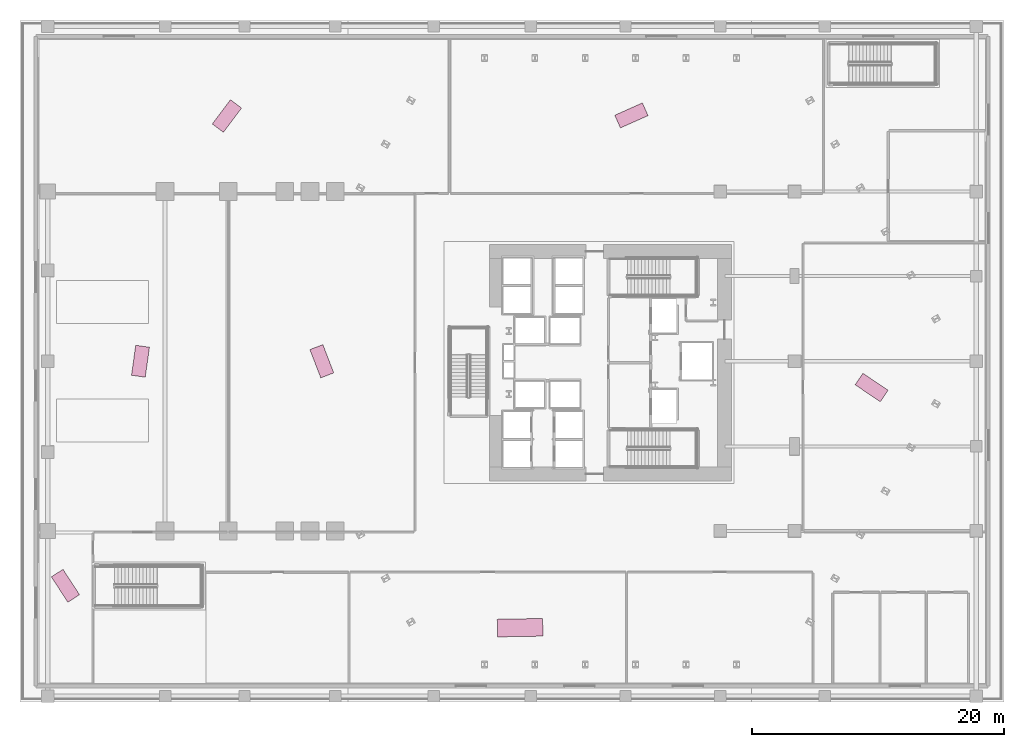
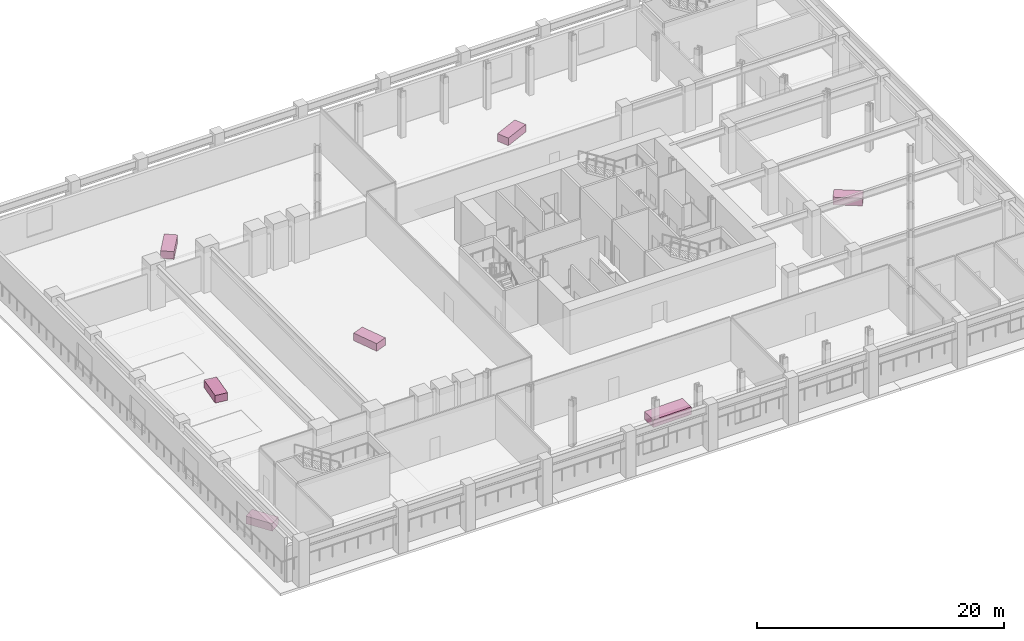
# One storey, part 18 of 18: 7 furniture elements.
"""IFC4 building model written with IfcOpenShell, lengths in metres."""

from ifc_helpers import new_model, si_unit, direction, frame, origin, origin_2d, place, context, subcontext, project, spatial, rectangle, extrude, material, type_object, element, save


model = new_model("IFC4")

# Units and contexts
model_context = context("Model", 3, precision=1e-05, world=origin(), true_north=direction((0.0, 1.0)))
body_context = subcontext(model_context, "Body", "Model", "MODEL_VIEW")
ifc_project = project(units=[si_unit("LENGTHUNIT", "METRE"), si_unit("AREAUNIT", "SQUARE_METRE"), si_unit("VOLUMEUNIT", "CUBIC_METRE"), si_unit("PLANEANGLEUNIT", "RADIAN"), si_unit("MASSUNIT", "GRAM", prefix="KILO")], contexts=[model_context])

# Site, building, storey
site_placement = place(None, origin())
site = spatial("IfcSite", under=ifc_project, at=site_placement, CompositionType="ELEMENT")
building_placement = place(site_placement, origin())
building = spatial("IfcBuilding", under=site, at=building_placement, Name="Valkerne Bourse Tower", CompositionType="ELEMENT")
storey_placement = place(building_placement, frame((0.0, 0.0, 10.199951171875)))
storey = spatial("IfcBuildingStorey", under=building, at=storey_placement, Name="L02", CompositionType="ELEMENT", Elevation=10.199951171875)

# Furniture
ifc_material = material(Name="Architectural White Oak Timber", Category="wood")
furniture_type_1 = type_object("IfcFurnitureType", Name="FURN-CONF-3600", AssemblyPlace="NOTDEFINED", PredefinedType="TABLE", material=ifc_material)
furniture_placement = place(storey_placement, frame((39.64111328125, 5.87890625, 0.044921875), z_axis=(0.0, 0.0, 1.0), x_axis=(0.999847695156, 0.017452406437, 0.0)))
element("IfcFurniture", 1, at=furniture_placement, inside=storey, type_object=furniture_type_1, Name="L02 Suite Worktable 03", PredefinedType="TABLE", context=body_context, shape_type="SweptSolid", body=[
    extrude(rectangle(XDim=3.60009765625, YDim=1.39990234375, at=origin_2d()), origin(), (0.0, 0.0, 1.0), 0.760009765625),
])
furniture_type_2 = type_object("IfcFurnitureType", Name="FURN-DESK-2400", AssemblyPlace="NOTDEFINED", PredefinedType="DESK", material=ifc_material)
for number, where, z_axis, x_axis, name in (
    (2, (3.60205078125, 9.199951171875, 0.045166015625), (0.0, 0.0, 1.0), (-0.544639035015, 0.838670567945, 0.0), "L02 Suite Worktable 01"),
    (3, (67.50390625, 24.91796875, 0.045166015625), (0.0, 0.0, 1.0), (-0.829037572555, 0.559192903471, 0.0), "L02 Suite Worktable 08"),
    (4, (48.466064453125, 46.485107421875, 0.045166015625), (0.0, 0.0, 1.0), (0.913545457643, 0.406736643076, 0.0), "L02 Suite Worktable 10"),
    (5, (16.402099609375, 46.43798828125, 0.045166015625), (0.0, 0.0, 1.0), (0.601815023152, 0.798635510047, 0.0), "L02 Suite Worktable 11"),
    (6, (9.550048828125, 27.0, 0.045166015625), (0.0, 0.0, 1.0), (0.13917310096, 0.990268068742, 0.0), "L02 Suite Worktable 12"),
    (7, (23.925048828125, 27.0, 0.045166015625), (0.0, 0.0, 1.0), (-0.358367949545, 0.933580426497, 0.0), "L02 Suite Worktable 13"),
):
    element("IfcFurniture", number, at=place(storey_placement, frame(where, z_axis=z_axis, x_axis=x_axis)), inside=storey, type_object=furniture_type_2, Name=name, PredefinedType="DESK", context=body_context, shape_type="SweptSolid", body=[
        extrude(rectangle(XDim=2.39990234375, YDim=1.10009765625, at=origin_2d()), origin(), (0.0, 0.0, 1.0), 0.75),
    ])

save(model, "model.ifc")
